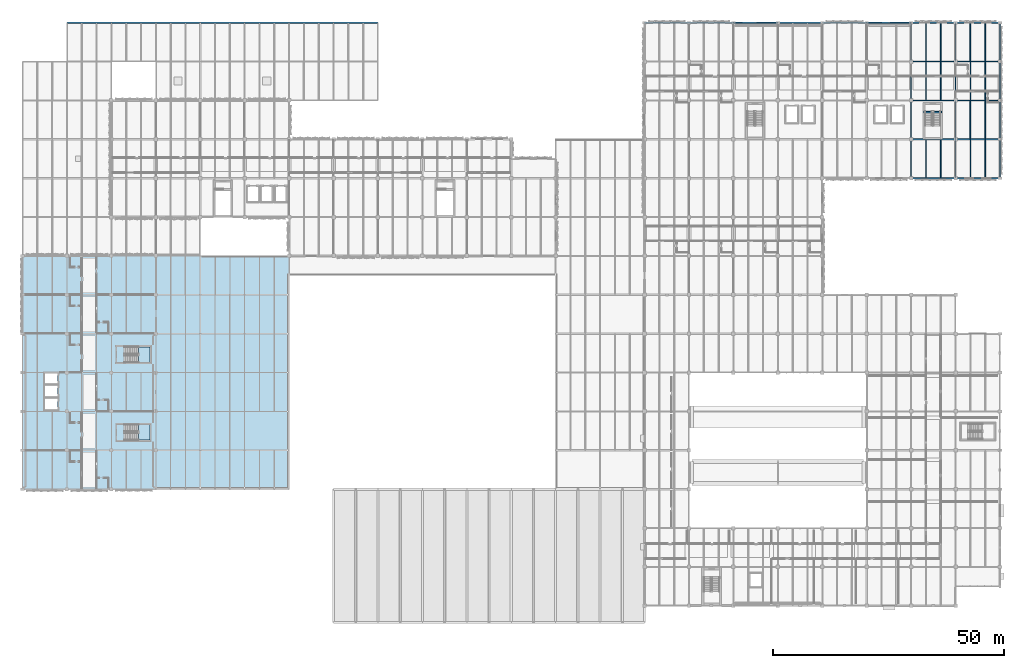
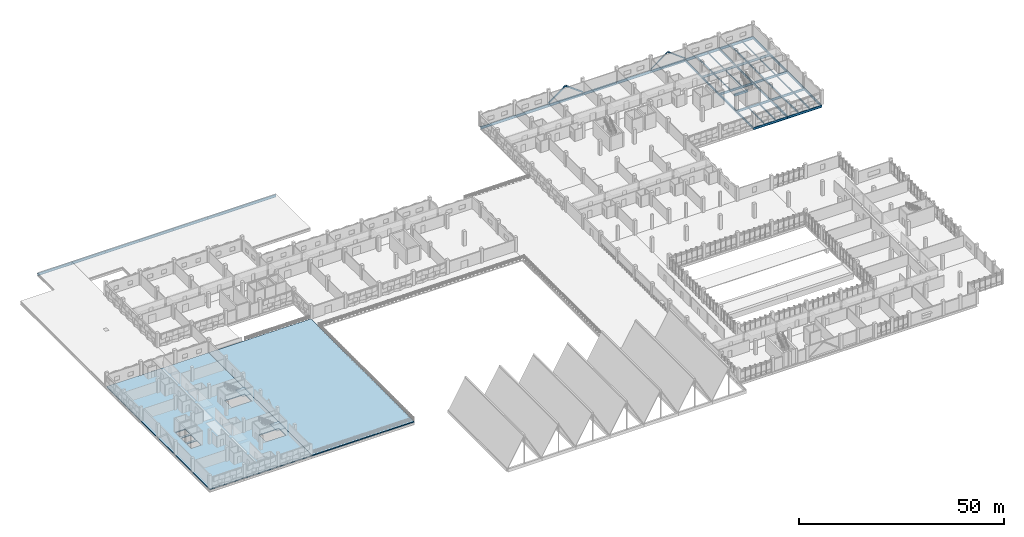
# One storey, part 38 of 86: 50 beams, 4 members, 4 slabs, 2 elements without a shape of their own.
"""IFC4 building model written with IfcOpenShell, lengths in metres."""

from ifc_helpers import new_model, si_unit, direction, frame, origin, origin_2d, place, context, subcontext, project, spatial, polyline, rectangle, hollow_rectangle, i_section, outline, extrude, material, layer, layer_set, material_profile, profile_set, type_object, element, aggregate, save


model = new_model("IFC4")

# Units and contexts
model_context = context("Model", 3, precision=1e-05, world=origin(), true_north=direction((0.0, 1.0)))
body_context = subcontext(model_context, "Body", "Model", "MODEL_VIEW")
ifc_project = project(units=[si_unit("LENGTHUNIT", "METRE"), si_unit("AREAUNIT", "SQUARE_METRE"), si_unit("VOLUMEUNIT", "CUBIC_METRE"), si_unit("PLANEANGLEUNIT", "RADIAN"), si_unit("MASSUNIT", "GRAM", prefix="KILO")], contexts=[model_context])

# Site, building, storey
site_placement = place(None, origin())
site = spatial("IfcSite", under=ifc_project, at=site_placement, CompositionType="ELEMENT")
building_placement = place(site_placement, origin())
building = spatial("IfcBuilding", under=site, at=building_placement, Name="Oolite Switchyard Hospital", CompositionType="ELEMENT")
storey_placement = place(building_placement, frame((0.0, 0.0, 13.5)))
storey = spatial("IfcBuildingStorey", under=building, at=storey_placement, Name="L03", CompositionType="ELEMENT", Elevation=13.5)

# Beams
ifc_material_1 = material(Name="Concrete C40/50", Category="concrete")
ifc_material_profile_1 = material_profile(ifc_material_1, rectangle(XDim=0.39990234375, YDim=0.60009765625, at=origin_2d()), Name="RCB400X600")
ifc_profile_set_1 = profile_set([ifc_material_profile_1], Name="Concrete C40/50")
beam_type_1 = type_object("IfcBeamType", Name="BM-RC400X600", PredefinedType="BEAM", material=ifc_profile_set_1)
beam_1_placement = place(storey_placement, frame((194.77490234375, 115.110107421875, -0.300048828125), z_axis=(1.0, 0.0, 0.0), x_axis=(0.0, 1.0, 0.0)))
element("IfcBeam", 1, at=beam_1_placement, inside=storey, type_object=beam_type_1, Name="L03 ST-04 Stair Throat Trimmer Beam", PredefinedType="BEAM", context=body_context, shape_type="SweptSolid", body=[
    extrude(rectangle(XDim=0.39990234375, YDim=0.60009765625, at=origin_2d()), origin(), (0.0, 0.0, 1.0), 3.81005859375),
])
ifc_material_2 = material(Name="Steel ASTM A992 Grade 50", Category="steel")
ifc_material_profile_2 = material_profile(ifc_material_2, i_section(OverallWidth=0.1650390625, OverallDepth=0.31005859375, WebThickness=0.006103515625, FlangeThickness=0.010009765625, at=origin_2d()), Name="W12X26")
ifc_profile_set_2 = profile_set([ifc_material_profile_2], Name="Steel ASTM A992 Grade 50")
beam_type_2 = type_object("IfcBeamType", Name="BM-W12X26", PredefinedType="JOIST", material=ifc_profile_set_2)
beam_2_placement = place(storey_placement, frame((195.199951171875, 100.927001953125, -0.429931640625), z_axis=(0.0, 1.0, 0.0), x_axis=(-1.0, 0.0, 0.0)))
element("IfcBeam", 2, at=beam_2_placement, inside=storey, type_object=beam_type_2, Name="L03 Secondary Steel Joist 2732", PredefinedType="JOIST", context=body_context, shape_type="SweptSolid", body=[
    extrude(i_section(OverallWidth=0.1650390625, OverallDepth=0.31005859375, WebThickness=0.006103515625, FlangeThickness=0.010009765625, at=origin_2d()), origin(), (0.0, 0.0, 1.0), 8.14599609375),
])
ifc_material_profile_3 = material_profile(ifc_material_2, i_section(OverallWidth=0.177978515625, OverallDepth=0.403076171875, WebThickness=0.008056640625, FlangeThickness=0.010986328125, at=origin_2d()), Name="W16X36")
ifc_profile_set_3 = profile_set([ifc_material_profile_3], Name="Steel ASTM A992 Grade 50")
beam_type_3 = type_object("IfcBeamType", Name="BM-W16X36", PredefinedType="JOIST", material=ifc_profile_set_3)
beam_3_placement = place(storey_placement, frame((208.0, 126.126953125, -0.47607421875), z_axis=(0.0, 1.0, 0.0), x_axis=(-1.0, 0.0, 0.0)))
element("IfcBeam", 3, at=beam_3_placement, inside=storey, type_object=beam_type_3, Name="L03 Secondary Steel Joist 2755", PredefinedType="JOIST", context=body_context, shape_type="SweptSolid", body=[
    extrude(i_section(OverallWidth=0.177978515625, OverallDepth=0.403076171875, WebThickness=0.008056640625, FlangeThickness=0.010986328125, at=origin_2d()), origin(), (0.0, 0.0, 1.0), 8.14013671875),
])
ifc_material_profile_4 = material_profile(ifc_material_2, i_section(OverallWidth=0.179931640625, OverallDepth=0.4130859375, WebThickness=0.010009765625, FlangeThickness=0.01611328125, at=origin_2d()), Name="W16X50")
ifc_profile_set_4 = profile_set([ifc_material_profile_4], Name="Steel ASTM A992 Grade 50")
beam_type_4 = type_object("IfcBeamType", Name="BM-W16X50", PredefinedType="JOIST", material=ifc_profile_set_4)
beam_4_placement = place(storey_placement, frame((198.39990234375, 126.126953125, -0.48193359375), z_axis=(0.0, 1.0, 0.0), x_axis=(-1.0, 0.0, 0.0)))
element("IfcBeam", 4, at=beam_4_placement, inside=storey, type_object=beam_type_4, Name="L03 Secondary Steel Joist 2737", PredefinedType="JOIST", context=body_context, shape_type="SweptSolid", body=[
    extrude(i_section(OverallWidth=0.179931640625, OverallDepth=0.4130859375, WebThickness=0.010009765625, FlangeThickness=0.01611328125, at=origin_2d()), origin(), (0.0, 0.0, 1.0), 8.14013671875),
])
beam_5_placement = place(storey_placement, frame((208.0, 117.72705078125, -0.48193359375), z_axis=(0.0, 1.0, 0.0), x_axis=(-1.0, 0.0, 0.0)))
element("IfcBeam", 5, at=beam_5_placement, inside=storey, type_object=beam_type_4, Name="L03 Secondary Steel Joist 2753", PredefinedType="JOIST", context=body_context, shape_type="SweptSolid", body=[
    extrude(i_section(OverallWidth=0.179931640625, OverallDepth=0.4130859375, WebThickness=0.010009765625, FlangeThickness=0.01611328125, at=origin_2d()), origin(), (0.0, 0.0, 1.0), 8.14599609375),
])
beam_6_placement = place(storey_placement, frame((204.800048828125, 126.126953125, -0.48193359375), z_axis=(0.0, 1.0, 0.0), x_axis=(-1.0, 0.0, 0.0)))
element("IfcBeam", 6, at=beam_6_placement, inside=storey, type_object=beam_type_4, Name="L03 Secondary Steel Joist 2754", PredefinedType="JOIST", context=body_context, shape_type="SweptSolid", body=[
    extrude(i_section(OverallWidth=0.179931640625, OverallDepth=0.4130859375, WebThickness=0.010009765625, FlangeThickness=0.01611328125, at=origin_2d()), origin(), (0.0, 0.0, 1.0), 8.14013671875),
])
ifc_material_profile_5 = material_profile(ifc_material_2, i_section(OverallWidth=0.153076171875, OverallDepth=0.455078125, WebThickness=0.008056640625, FlangeThickness=0.012939453125, at=origin_2d()), Name="W18X40")
ifc_profile_set_5 = profile_set([ifc_material_profile_5], Name="Steel ASTM A992 Grade 50")
beam_type_5 = type_object("IfcBeamType", Name="BM-W18X40", PredefinedType="JOIST", material=ifc_profile_set_5)
beam_7_placement = place(storey_placement, frame((198.39990234375, 117.72705078125, -0.501953125), z_axis=(0.0, 1.0, 0.0), x_axis=(-1.0, 0.0, 0.0)))
element("IfcBeam", 7, at=beam_7_placement, inside=storey, type_object=beam_type_5, Name="L03 Secondary Steel Joist 2735", PredefinedType="JOIST", context=body_context, shape_type="SweptSolid", body=[
    extrude(i_section(OverallWidth=0.153076171875, OverallDepth=0.455078125, WebThickness=0.008056640625, FlangeThickness=0.012939453125, at=origin_2d()), origin(), (0.0, 0.0, 1.0), 8.14599609375),
])
beam_8_placement = place(storey_placement, frame((195.199951171875, 126.126953125, -0.501953125), z_axis=(0.0, 1.0, 0.0), x_axis=(-1.0, 0.0, 0.0)))
element("IfcBeam", 8, at=beam_8_placement, inside=storey, type_object=beam_type_5, Name="L03 Secondary Steel Joist 2736", PredefinedType="JOIST", context=body_context, shape_type="SweptSolid", body=[
    extrude(i_section(OverallWidth=0.153076171875, OverallDepth=0.455078125, WebThickness=0.008056640625, FlangeThickness=0.012939453125, at=origin_2d()), origin(), (0.0, 0.0, 1.0), 8.14013671875),
])
for number, where, z_axis, x_axis, name in (
    (9, (208.0, 109.326904296875, -0.501953125), (0.0, 1.0, 0.0), (-1.0, 0.0, 0.0), "L03 Secondary Steel Joist 2751"),
    (10, (204.800048828125, 117.72705078125, -0.501953125), (0.0, 1.0, 0.0), (-1.0, 0.0, 0.0), "L03 Secondary Steel Joist 2752"),
):
    element("IfcBeam", number, at=place(storey_placement, frame(where, z_axis=z_axis, x_axis=x_axis)), inside=storey, type_object=beam_type_5, Name=name, PredefinedType="JOIST", context=body_context, shape_type="SweptSolid", body=[
        extrude(i_section(OverallWidth=0.153076171875, OverallDepth=0.455078125, WebThickness=0.008056640625, FlangeThickness=0.012939453125, at=origin_2d()), origin(), (0.0, 0.0, 1.0), 8.14599609375),
    ])
ifc_material_profile_6 = material_profile(ifc_material_2, i_section(OverallWidth=0.19091796875, OverallDepth=0.4599609375, WebThickness=0.010009765625, FlangeThickness=0.01611328125, at=origin_2d()), Name="W18X55")
ifc_profile_set_6 = profile_set([ifc_material_profile_6], Name="Steel ASTM A992 Grade 50")
beam_type_6 = type_object("IfcBeamType", Name="BM-W18X55", PredefinedType="JOIST", material=ifc_profile_set_6)
for number, where, z_axis, x_axis, name in (
    (11, (195.199951171875, 117.72705078125, -0.5048828125), (0.0, 1.0, 0.0), (-1.0, 0.0, 0.0), "L03 Secondary Steel Joist 2734"),
    (12, (208.0, 100.927001953125, -0.5048828125), (0.0, 1.0, 0.0), (-1.0, 0.0, 0.0), "L03 Secondary Steel Joist 2749"),
    (13, (204.800048828125, 109.326904296875, -0.5048828125), (0.0, 1.0, 0.0), (-1.0, 0.0, 0.0), "L03 Secondary Steel Joist 2750"),
):
    element("IfcBeam", number, at=place(storey_placement, frame(where, z_axis=z_axis, x_axis=x_axis)), inside=storey, type_object=beam_type_6, Name=name, PredefinedType="JOIST", context=body_context, shape_type="SweptSolid", body=[
        extrude(i_section(OverallWidth=0.19091796875, OverallDepth=0.4599609375, WebThickness=0.010009765625, FlangeThickness=0.01611328125, at=origin_2d()), origin(), (0.0, 0.0, 1.0), 8.14599609375),
    ])
ifc_material_profile_7 = material_profile(ifc_material_2, i_section(OverallWidth=0.166015625, OverallDepth=0.529052734375, WebThickness=0.010009765625, FlangeThickness=0.013916015625, at=origin_2d()), Name="W21X50")
ifc_profile_set_7 = profile_set([ifc_material_profile_7], Name="Steel ASTM A992 Grade 50")
beam_type_7 = type_object("IfcBeamType", Name="BM-W21X50", PredefinedType="JOIST", material=ifc_profile_set_7)
for number, where, z_axis, x_axis, name in (
    (14, (198.39990234375, 100.927001953125, -0.5400390625), (0.0, 1.0, 0.0), (-1.0, 0.0, 0.0), "L03 Secondary Steel Joist 2733"),
    (15, (204.800048828125, 100.927001953125, -0.5400390625), (0.0, 1.0, 0.0), (-1.0, 0.0, 0.0), "L03 Secondary Steel Joist 2748"),
):
    element("IfcBeam", number, at=place(storey_placement, frame(where, z_axis=z_axis, x_axis=x_axis)), inside=storey, type_object=beam_type_7, Name=name, PredefinedType="JOIST", context=body_context, shape_type="SweptSolid", body=[
        extrude(i_section(OverallWidth=0.166015625, OverallDepth=0.529052734375, WebThickness=0.010009765625, FlangeThickness=0.013916015625, at=origin_2d()), origin(), (0.0, 0.0, 1.0), 8.14599609375),
    ])
ifc_material_profile_8 = material_profile(ifc_material_2, i_section(OverallWidth=0.22900390625, OverallDepth=0.612060546875, WebThickness=0.011962890625, FlangeThickness=0.02001953125, at=origin_2d()), Name="W24X84")
ifc_profile_set_8 = profile_set([ifc_material_profile_8], Name="Steel ASTM A992 Grade 50")
beam_type_8 = type_object("IfcBeamType", Name="BM-W24X84", PredefinedType="BEAM", material=ifc_profile_set_8)
beam_9_placement = place(storey_placement, frame((192.0, 100.800048828125, -0.5810546875), z_axis=(0.0, 1.0, 0.0), x_axis=(-1.0, 0.0, 0.0)))
element("IfcBeam", 16, at=beam_9_placement, inside=storey, type_object=beam_type_8, Name="L03 Y-Girder 2368", PredefinedType="BEAM", context=body_context, shape_type="SweptSolid", body=[
    extrude(i_section(OverallWidth=0.22900390625, OverallDepth=0.612060546875, WebThickness=0.011962890625, FlangeThickness=0.02001953125, at=origin_2d()), origin(), (0.0, 0.0, 1.0), 8.39990234375),
])
beam_10_placement = place(storey_placement, frame((192.0, 109.199951171875, -0.5810546875), z_axis=(0.0, 1.0, 0.0), x_axis=(-1.0, 0.0, 0.0)))
element("IfcBeam", 17, at=beam_10_placement, inside=storey, type_object=beam_type_8, Name="L03 Y-Girder 2369", PredefinedType="BEAM", context=body_context, shape_type="SweptSolid", body=[
    extrude(i_section(OverallWidth=0.22900390625, OverallDepth=0.612060546875, WebThickness=0.011962890625, FlangeThickness=0.02001953125, at=origin_2d()), origin(), (0.0, 0.0, 1.0), 8.400146484375),
])
for number, where, z_axis, x_axis, name in (
    (18, (192.0, 117.60009765625, -0.5810546875), (0.0, 1.0, 0.0), (-1.0, 0.0, 0.0), "L03 Y-Girder 2370"),
    (19, (192.0, 126.0, -0.5810546875), (0.0, 1.0, 0.0), (-1.0, 0.0, 0.0), "L03 Y-Girder 2371"),
    (20, (201.60009765625, 100.800048828125, -0.5810546875), (0.0, 1.0, 0.0), (-1.0, 0.0, 0.0), "L03 Y-Girder 2380"),
):
    element("IfcBeam", number, at=place(storey_placement, frame(where, z_axis=z_axis, x_axis=x_axis)), inside=storey, type_object=beam_type_8, Name=name, PredefinedType="BEAM", context=body_context, shape_type="SweptSolid", body=[
        extrude(i_section(OverallWidth=0.22900390625, OverallDepth=0.612060546875, WebThickness=0.011962890625, FlangeThickness=0.02001953125, at=origin_2d()), origin(), (0.0, 0.0, 1.0), 8.39990234375),
    ])
beam_11_placement = place(storey_placement, frame((201.60009765625, 109.199951171875, -0.5810546875), z_axis=(0.0, 1.0, 0.0), x_axis=(-1.0, 0.0, 0.0)))
element("IfcBeam", 21, at=beam_11_placement, inside=storey, type_object=beam_type_8, Name="L03 Y-Girder 2381", PredefinedType="BEAM", context=body_context, shape_type="SweptSolid", body=[
    extrude(i_section(OverallWidth=0.22900390625, OverallDepth=0.612060546875, WebThickness=0.011962890625, FlangeThickness=0.02001953125, at=origin_2d()), origin(), (0.0, 0.0, 1.0), 8.400146484375),
])
for number, where, z_axis, x_axis, name in (
    (22, (201.60009765625, 117.60009765625, -0.5810546875), (0.0, 1.0, 0.0), (-1.0, 0.0, 0.0), "L03 Y-Girder 2382"),
    (23, (201.60009765625, 126.0, -0.5810546875), (0.0, 1.0, 0.0), (-1.0, 0.0, 0.0), "L03 Y-Girder 2383"),
):
    element("IfcBeam", number, at=place(storey_placement, frame(where, z_axis=z_axis, x_axis=x_axis)), inside=storey, type_object=beam_type_8, Name=name, PredefinedType="BEAM", context=body_context, shape_type="SweptSolid", body=[
        extrude(i_section(OverallWidth=0.22900390625, OverallDepth=0.612060546875, WebThickness=0.011962890625, FlangeThickness=0.02001953125, at=origin_2d()), origin(), (0.0, 0.0, 1.0), 8.39990234375),
    ])
ifc_material_profile_9 = material_profile(ifc_material_2, i_section(OverallWidth=0.25390625, OverallDepth=0.68408203125, WebThickness=0.011962890625, FlangeThickness=0.01904296875, at=origin_2d()), Name="W27X94")
ifc_profile_set_9 = profile_set([ifc_material_profile_9], Name="Steel ASTM A992 Grade 50")
beam_type_9 = type_object("IfcBeamType", Name="BM-W27X94", PredefinedType="BEAM", material=ifc_profile_set_9)
beam_12_placement = place(storey_placement, frame((192.0, 100.800048828125, -0.616943359375), z_axis=(1.0, 0.0, 0.0), x_axis=(0.0, 1.0, 0.0)))
element("IfcBeam", 24, at=beam_12_placement, inside=storey, type_object=beam_type_9, Name="L03 X-Girder 2094", PredefinedType="BEAM", context=body_context, shape_type="SweptSolid", body=[
    extrude(i_section(OverallWidth=0.25390625, OverallDepth=0.68408203125, WebThickness=0.011962890625, FlangeThickness=0.01904296875, at=origin_2d()), origin(), (0.0, 0.0, 1.0), 9.60009765625),
])
beam_13_placement = place(storey_placement, frame((201.60009765625, 100.800048828125, -0.616943359375), z_axis=(1.0, 0.0, 0.0), x_axis=(0.0, 1.0, 0.0)))
element("IfcBeam", 25, at=beam_13_placement, inside=storey, type_object=beam_type_9, Name="L03 X-Girder 2095", PredefinedType="BEAM", context=body_context, shape_type="SweptSolid", body=[
    extrude(i_section(OverallWidth=0.25390625, OverallDepth=0.68408203125, WebThickness=0.011962890625, FlangeThickness=0.01904296875, at=origin_2d()), origin(), (0.0, 0.0, 1.0), 9.599853515625),
])
beam_14_placement = place(storey_placement, frame((192.0, 109.199951171875, -0.616943359375), z_axis=(1.0, 0.0, 0.0), x_axis=(0.0, 1.0, 0.0)))
element("IfcBeam", 26, at=beam_14_placement, inside=storey, type_object=beam_type_9, Name="L03 X-Girder 2115", PredefinedType="BEAM", context=body_context, shape_type="SweptSolid", body=[
    extrude(i_section(OverallWidth=0.25390625, OverallDepth=0.68408203125, WebThickness=0.011962890625, FlangeThickness=0.01904296875, at=origin_2d()), origin(), (0.0, 0.0, 1.0), 9.60009765625),
])
beam_15_placement = place(storey_placement, frame((201.60009765625, 109.199951171875, -0.616943359375), z_axis=(1.0, 0.0, 0.0), x_axis=(0.0, 1.0, 0.0)))
element("IfcBeam", 27, at=beam_15_placement, inside=storey, type_object=beam_type_9, Name="L03 X-Girder 2116", PredefinedType="BEAM", context=body_context, shape_type="SweptSolid", body=[
    extrude(i_section(OverallWidth=0.25390625, OverallDepth=0.68408203125, WebThickness=0.011962890625, FlangeThickness=0.01904296875, at=origin_2d()), origin(), (0.0, 0.0, 1.0), 9.599853515625),
])
beam_16_placement = place(storey_placement, frame((192.0, 117.60009765625, -0.616943359375), z_axis=(1.0, 0.0, 0.0), x_axis=(0.0, 1.0, 0.0)))
element("IfcBeam", 28, at=beam_16_placement, inside=storey, type_object=beam_type_9, Name="L03 X-Girder 2131", PredefinedType="BEAM", context=body_context, shape_type="SweptSolid", body=[
    extrude(i_section(OverallWidth=0.25390625, OverallDepth=0.68408203125, WebThickness=0.011962890625, FlangeThickness=0.01904296875, at=origin_2d()), origin(), (0.0, 0.0, 1.0), 9.60009765625),
])
beam_17_placement = place(storey_placement, frame((201.60009765625, 117.60009765625, -0.616943359375), z_axis=(1.0, 0.0, 0.0), x_axis=(0.0, 1.0, 0.0)))
element("IfcBeam", 29, at=beam_17_placement, inside=storey, type_object=beam_type_9, Name="L03 X-Girder 2132", PredefinedType="BEAM", context=body_context, shape_type="SweptSolid", body=[
    extrude(i_section(OverallWidth=0.25390625, OverallDepth=0.68408203125, WebThickness=0.011962890625, FlangeThickness=0.01904296875, at=origin_2d()), origin(), (0.0, 0.0, 1.0), 9.599853515625),
])
beam_18_placement = place(storey_placement, frame((192.0, 126.0, -0.616943359375), z_axis=(1.0, 0.0, 0.0), x_axis=(0.0, 1.0, 0.0)))
element("IfcBeam", 30, at=beam_18_placement, inside=storey, type_object=beam_type_9, Name="L03 X-Girder 2147", PredefinedType="BEAM", context=body_context, shape_type="SweptSolid", body=[
    extrude(i_section(OverallWidth=0.25390625, OverallDepth=0.68408203125, WebThickness=0.011962890625, FlangeThickness=0.01904296875, at=origin_2d()), origin(), (0.0, 0.0, 1.0), 9.60009765625),
])
beam_19_placement = place(storey_placement, frame((201.60009765625, 126.0, -0.616943359375), z_axis=(1.0, 0.0, 0.0), x_axis=(0.0, 1.0, 0.0)))
element("IfcBeam", 31, at=beam_19_placement, inside=storey, type_object=beam_type_9, Name="L03 X-Girder 2148", PredefinedType="BEAM", context=body_context, shape_type="SweptSolid", body=[
    extrude(i_section(OverallWidth=0.25390625, OverallDepth=0.68408203125, WebThickness=0.011962890625, FlangeThickness=0.01904296875, at=origin_2d()), origin(), (0.0, 0.0, 1.0), 9.599853515625),
])
beam_20_placement = place(storey_placement, frame((211.199951171875, 100.800048828125, -0.616943359375), z_axis=(0.0, 1.0, 0.0), x_axis=(-1.0, 0.0, 0.0)))
element("IfcBeam", 32, at=beam_20_placement, inside=storey, type_object=beam_type_9, Name="L03 Y-Girder 2390", PredefinedType="BEAM", context=body_context, shape_type="SweptSolid", body=[
    extrude(i_section(OverallWidth=0.25390625, OverallDepth=0.68408203125, WebThickness=0.011962890625, FlangeThickness=0.01904296875, at=origin_2d()), origin(), (0.0, 0.0, 1.0), 8.39990234375),
])
beam_21_placement = place(storey_placement, frame((211.199951171875, 109.199951171875, -0.616943359375), z_axis=(0.0, 1.0, 0.0), x_axis=(-1.0, 0.0, 0.0)))
element("IfcBeam", 33, at=beam_21_placement, inside=storey, type_object=beam_type_9, Name="L03 Y-Girder 2391", PredefinedType="BEAM", context=body_context, shape_type="SweptSolid", body=[
    extrude(i_section(OverallWidth=0.25390625, OverallDepth=0.68408203125, WebThickness=0.011962890625, FlangeThickness=0.01904296875, at=origin_2d()), origin(), (0.0, 0.0, 1.0), 8.400146484375),
])
for number, where, z_axis, x_axis, name in (
    (34, (211.199951171875, 117.60009765625, -0.616943359375), (0.0, 1.0, 0.0), (-1.0, 0.0, 0.0), "L03 Y-Girder 2392"),
    (35, (211.199951171875, 126.0, -0.616943359375), (0.0, 1.0, 0.0), (-1.0, 0.0, 0.0), "L03 Y-Girder 2393"),
):
    element("IfcBeam", number, at=place(storey_placement, frame(where, z_axis=z_axis, x_axis=x_axis)), inside=storey, type_object=beam_type_9, Name=name, PredefinedType="BEAM", context=body_context, shape_type="SweptSolid", body=[
        extrude(i_section(OverallWidth=0.25390625, OverallDepth=0.68408203125, WebThickness=0.011962890625, FlangeThickness=0.01904296875, at=origin_2d()), origin(), (0.0, 0.0, 1.0), 8.39990234375),
    ])
ifc_material_profile_10 = material_profile(ifc_material_2, i_section(OverallWidth=0.26611328125, OverallDepth=0.758056640625, WebThickness=0.013916015625, FlangeThickness=0.01904296875, at=origin_2d()), Name="W30X108")
ifc_profile_set_10 = profile_set([ifc_material_profile_10], Name="Steel ASTM A992 Grade 50")
beam_type_10 = type_object("IfcBeamType", Name="BM-W30X108", PredefinedType="BEAM", material=ifc_profile_set_10)
beam_22_placement = place(storey_placement, frame((9.60009765625, 134.39990234375, -0.59912109375), z_axis=(1.0, 0.0, 0.0), x_axis=(0.0, 1.0, 0.0)))
element("IfcBeam", 36, at=beam_22_placement, inside=storey, type_object=beam_type_10, Name="L03 X-Girder 2149", PredefinedType="BEAM", context=body_context, shape_type="SweptSolid", body=[
    extrude(i_section(OverallWidth=0.26611328125, OverallDepth=0.758056640625, WebThickness=0.013916015625, FlangeThickness=0.01904296875, at=origin_2d()), origin(), (0.0, 0.0, 1.0), 9.599853515625),
])
beam_23_placement = place(storey_placement, frame((19.199951171875, 134.39990234375, -0.59912109375), z_axis=(1.0, 0.0, 0.0), x_axis=(0.0, 1.0, 0.0)))
element("IfcBeam", 37, at=beam_23_placement, inside=storey, type_object=beam_type_10, Name="L03 X-Girder 2150", PredefinedType="BEAM", context=body_context, shape_type="SweptSolid", body=[
    extrude(i_section(OverallWidth=0.26611328125, OverallDepth=0.758056640625, WebThickness=0.013916015625, FlangeThickness=0.01904296875, at=origin_2d()), origin(), (0.0, 0.0, 1.0), 9.60009765625),
])
beam_24_placement = place(storey_placement, frame((28.800048828125, 134.39990234375, -0.59912109375), z_axis=(1.0, 0.0, 0.0), x_axis=(0.0, 1.0, 0.0)))
element("IfcBeam", 38, at=beam_24_placement, inside=storey, type_object=beam_type_10, Name="L03 X-Girder 2151", PredefinedType="BEAM", context=body_context, shape_type="SweptSolid", body=[
    extrude(i_section(OverallWidth=0.26611328125, OverallDepth=0.758056640625, WebThickness=0.013916015625, FlangeThickness=0.01904296875, at=origin_2d()), origin(), (0.0, 0.0, 1.0), 9.599853515625),
])
for number, where, z_axis, x_axis, name in (
    (39, (38.39990234375, 134.39990234375, -0.59912109375), (1.0, 0.0, 0.0), (0.0, 1.0, 0.0), "L03 X-Girder 2152"),
    (40, (48.0, 134.39990234375, -0.59912109375), (1.0, 0.0, 0.0), (0.0, 1.0, 0.0), "L03 X-Girder 2153"),
):
    element("IfcBeam", number, at=place(storey_placement, frame(where, z_axis=z_axis, x_axis=x_axis)), inside=storey, type_object=beam_type_10, Name=name, PredefinedType="BEAM", context=body_context, shape_type="SweptSolid", body=[
        extrude(i_section(OverallWidth=0.26611328125, OverallDepth=0.758056640625, WebThickness=0.013916015625, FlangeThickness=0.01904296875, at=origin_2d()), origin(), (0.0, 0.0, 1.0), 9.60009765625),
    ])
beam_25_placement = place(storey_placement, frame((57.60009765625, 134.39990234375, -0.59912109375), z_axis=(1.0, 0.0, 0.0), x_axis=(0.0, 1.0, 0.0)))
element("IfcBeam", 41, at=beam_25_placement, inside=storey, type_object=beam_type_10, Name="L03 X-Girder 2154", PredefinedType="BEAM", context=body_context, shape_type="SweptSolid", body=[
    extrude(i_section(OverallWidth=0.26611328125, OverallDepth=0.758056640625, WebThickness=0.013916015625, FlangeThickness=0.01904296875, at=origin_2d()), origin(), (0.0, 0.0, 1.0), 9.599853515625),
])
for number, where, z_axis, x_axis, name in (
    (42, (67.199951171875, 134.39990234375, -0.59912109375), (1.0, 0.0, 0.0), (0.0, 1.0, 0.0), "L03 X-Girder 2155"),
    (43, (134.39990234375, 134.39990234375, -0.654052734375), (1.0, 0.0, 0.0), (0.0, 1.0, 0.0), "L03 X-Girder 2156"),
    (44, (144.0, 134.39990234375, -0.654052734375), (1.0, 0.0, 0.0), (0.0, 1.0, 0.0), "L03 X-Girder 2157"),
):
    element("IfcBeam", number, at=place(storey_placement, frame(where, z_axis=z_axis, x_axis=x_axis)), inside=storey, type_object=beam_type_10, Name=name, PredefinedType="BEAM", context=body_context, shape_type="SweptSolid", body=[
        extrude(i_section(OverallWidth=0.26611328125, OverallDepth=0.758056640625, WebThickness=0.013916015625, FlangeThickness=0.01904296875, at=origin_2d()), origin(), (0.0, 0.0, 1.0), 9.60009765625),
    ])
beam_26_placement = place(storey_placement, frame((153.60009765625, 134.39990234375, -0.654052734375), z_axis=(1.0, 0.0, 0.0), x_axis=(0.0, 1.0, 0.0)))
element("IfcBeam", 45, at=beam_26_placement, inside=storey, type_object=beam_type_10, Name="L03 X-Girder 2158", PredefinedType="BEAM", context=body_context, shape_type="SweptSolid", body=[
    extrude(i_section(OverallWidth=0.26611328125, OverallDepth=0.758056640625, WebThickness=0.013916015625, FlangeThickness=0.01904296875, at=origin_2d()), origin(), (0.0, 0.0, 1.0), 9.599853515625),
])
beam_27_placement = place(storey_placement, frame((163.199951171875, 134.39990234375, -0.654052734375), z_axis=(1.0, 0.0, 0.0), x_axis=(0.0, 1.0, 0.0)))
element("IfcBeam", 46, at=beam_27_placement, inside=storey, type_object=beam_type_10, Name="L03 X-Girder 2159", PredefinedType="BEAM", context=body_context, shape_type="SweptSolid", body=[
    extrude(i_section(OverallWidth=0.26611328125, OverallDepth=0.758056640625, WebThickness=0.013916015625, FlangeThickness=0.01904296875, at=origin_2d()), origin(), (0.0, 0.0, 1.0), 9.60009765625),
])
beam_28_placement = place(storey_placement, frame((172.800048828125, 134.39990234375, -0.654052734375), z_axis=(1.0, 0.0, 0.0), x_axis=(0.0, 1.0, 0.0)))
element("IfcBeam", 47, at=beam_28_placement, inside=storey, type_object=beam_type_10, Name="L03 X-Girder 2160", PredefinedType="BEAM", context=body_context, shape_type="SweptSolid", body=[
    extrude(i_section(OverallWidth=0.26611328125, OverallDepth=0.758056640625, WebThickness=0.013916015625, FlangeThickness=0.01904296875, at=origin_2d()), origin(), (0.0, 0.0, 1.0), 9.599853515625),
])
for number, where, z_axis, x_axis, name in (
    (48, (182.39990234375, 134.39990234375, -0.654052734375), (1.0, 0.0, 0.0), (0.0, 1.0, 0.0), "L03 X-Girder 2161"),
    (49, (192.0, 134.39990234375, -0.654052734375), (1.0, 0.0, 0.0), (0.0, 1.0, 0.0), "L03 X-Girder 2162"),
):
    element("IfcBeam", number, at=place(storey_placement, frame(where, z_axis=z_axis, x_axis=x_axis)), inside=storey, type_object=beam_type_10, Name=name, PredefinedType="BEAM", context=body_context, shape_type="SweptSolid", body=[
        extrude(i_section(OverallWidth=0.26611328125, OverallDepth=0.758056640625, WebThickness=0.013916015625, FlangeThickness=0.01904296875, at=origin_2d()), origin(), (0.0, 0.0, 1.0), 9.60009765625),
    ])
beam_29_placement = place(storey_placement, frame((201.60009765625, 134.39990234375, -0.654052734375), z_axis=(1.0, 0.0, 0.0), x_axis=(0.0, 1.0, 0.0)))
element("IfcBeam", 50, at=beam_29_placement, inside=storey, type_object=beam_type_10, Name="L03 X-Girder 2163", PredefinedType="BEAM", context=body_context, shape_type="SweptSolid", body=[
    extrude(i_section(OverallWidth=0.26611328125, OverallDepth=0.758056640625, WebThickness=0.013916015625, FlangeThickness=0.01904296875, at=origin_2d()), origin(), (0.0, 0.0, 1.0), 9.599853515625),
])

# Members
ifc_material_3 = material(Name="Steel ASTM A500 Grade C", Category="steel")
ifc_material_profile_11 = material_profile(ifc_material_3, hollow_rectangle(XDim=0.202880859375, YDim=0.202880859375, WallThickness=0.012939453125, at=origin_2d()), Name="HSS203X203X13")
ifc_profile_set_11 = profile_set([ifc_material_profile_11], Name="Steel ASTM A500 Grade C")
member_type_1 = type_object("IfcMemberType", Name="MEM-BR-HSS203", PredefinedType="BRACE", material=ifc_profile_set_11)
for number, where, z_axis, x_axis, name in (
    (51, (182.39990234375, 134.39990234375, 0.02001953125), (0.805604421806, 0.0, 0.592453808804), (0.0, 1.0, 0.0), "L03 Chevron Brace 51"),
    (52, (192.0, 134.39990234375, 0.02001953125), (-0.805604421806, 0.0, 0.592453808804), (0.0, -1.0, 0.0), "L03 Chevron Brace 52"),
):
    element("IfcMember", number, at=place(storey_placement, frame(where, z_axis=z_axis, x_axis=x_axis)), inside=storey, type_object=member_type_1, Name=name, PredefinedType="BRACE", context=body_context, shape_type="SweptSolid", body=[
        extrude(hollow_rectangle(XDim=0.202880859375, YDim=0.202880859375, WallThickness=0.012939453125, at=origin_2d()), origin(), (0.0, 0.0, 1.0), 5.958251953125),
    ])
ifc_material_profile_12 = material_profile(ifc_material_3, hollow_rectangle(XDim=0.202880859375, YDim=0.406005859375, WallThickness=0.012939453125, at=origin_2d()), Name="HSS406X203X13")
ifc_profile_set_12 = profile_set([ifc_material_profile_12], Name="Steel ASTM A500 Grade C")
member_type_2 = type_object("IfcMemberType", Name="MEM-BR-RHS406", PredefinedType="BRACE", material=ifc_profile_set_12)
member_1_placement = place(storey_placement, frame((153.60009765625, 134.39990234375, 0.02001953125), z_axis=(0.805590038897, 0.0, 0.59247336584), x_axis=(0.0, 1.0, 0.0)))
element("IfcMember", 53, at=member_1_placement, inside=storey, type_object=member_type_2, Name="L03 Chevron Brace 35", PredefinedType="BRACE", context=body_context, shape_type="SweptSolid", body=[
    extrude(hollow_rectangle(XDim=0.202880859375, YDim=0.406005859375, WallThickness=0.012939453125, at=origin_2d()), origin(), (0.0, 0.0, 1.0), 5.9580078125),
])
member_2_placement = place(storey_placement, frame((163.199951171875, 134.39990234375, 0.02001953125), z_axis=(-0.805604421806, 0.0, 0.592453808804), x_axis=(0.0, -1.0, 0.0)))
element("IfcMember", 54, at=member_2_placement, inside=storey, type_object=member_type_2, Name="L03 Chevron Brace 36", PredefinedType="BRACE", context=body_context, shape_type="SweptSolid", body=[
    extrude(hollow_rectangle(XDim=0.202880859375, YDim=0.406005859375, WallThickness=0.012939453125, at=origin_2d()), origin(), (0.0, 0.0, 1.0), 5.958251953125),
])

# Slab
ifc_layer_1 = layer(ifc_material_1, 0.27490234375)
ifc_layer_set_1 = layer_set([ifc_layer_1], Name="SLB-FLR-275")
slab_type_1 = type_object("IfcSlabType", Name="SLB-FLR-275", PredefinedType="FLOOR", material=ifc_layer_set_1)
slab_1_placement = place(storey_placement, frame((0.0, 0.0, -0.27490234375)))
element("IfcSlab", 55, at=slab_1_placement, inside=storey, type_object=slab_type_1, Name="L03 V5W Slab V5W", PredefinedType="FLOOR", context=body_context, shape_type="SweptSolid", body=[
    extrude(outline(polyline([(0.0, 33.60009765625), (28.800048828125, 33.60009765625), (28.800048828125, 84.0), (0.0, 84.0), (0.0, 33.60009765625)]), holes=[polyline([(21.9599609375, 44.199951171875), (27.550048828125, 44.199951171875), (27.550048828125, 47.56005859375), (21.9599609375, 47.56005859375), (21.9599609375, 44.199951171875)]), polyline([(21.9599609375, 61.0), (27.550048828125, 61.0), (27.550048828125, 64.360107421875), (21.9599609375, 64.360107421875), (21.9599609375, 61.0)]), polyline([(4.800048828125, 50.89990234375), (7.60009765625, 50.89990234375), (7.60009765625, 53.10009765625), (4.800048828125, 53.10009765625), (4.800048828125, 50.89990234375)]), polyline([(4.800048828125, 53.699951171875), (7.60009765625, 53.699951171875), (7.60009765625, 55.89990234375), (4.800048828125, 55.89990234375), (4.800048828125, 53.699951171875)]), polyline([(4.800048828125, 56.5), (7.60009765625, 56.5), (7.60009765625, 58.699951171875), (4.800048828125, 58.699951171875), (4.800048828125, 56.5)])]), origin(), (0.0, 0.0, 1.0), 0.27490234375),
])

# Stair, slab
stair_type = type_object("IfcStairType", Name="STR-DL-156-R24", PredefinedType="HALF_TURN_STAIR", material=ifc_material_1)
stair_1_placement = place(storey_placement, origin())
stair_1 = element("IfcStair", 56, at=stair_1_placement, inside=storey, type_object=stair_type, Name="L03 Exit Stair ST-01", PredefinedType="HALF_TURN_STAIR")
ifc_layer_2 = layer(ifc_material_1, 0.199951171875)
ifc_layer_set_2 = layer_set([ifc_layer_2], Name="SLB-LND-200")
slab_type_2 = type_object("IfcSlabType", Name="SLB-LND-200", PredefinedType="LANDING", material=ifc_layer_set_2)
slab_2_placement = place(storey_placement, frame((0.0, 0.0, 1.949951171875)))
slab_2 = element("IfcSlab", 57, at=slab_2_placement, type_object=slab_type_2, Name="ST-01 landing 1", PredefinedType="LANDING", context=body_context, shape_type="SweptSolid", body=[
    extrude(outline(polyline([(25.0400390625, 44.199951171875), (27.550048828125, 44.199951171875), (27.550048828125, 47.56005859375), (25.0400390625, 47.56005859375), (25.0400390625, 44.199951171875)])), origin(), (0.0, 0.0, 1.0), 0.199951171875),
])
aggregate(stair_1, [slab_2])

stair_2_placement = place(storey_placement, origin())
stair_2 = element("IfcStair", 58, at=stair_2_placement, inside=storey, type_object=stair_type, Name="L03 Exit Stair ST-02", PredefinedType="HALF_TURN_STAIR")
slab_3_placement = place(storey_placement, frame((0.0, 0.0, 1.949951171875)))
slab_3 = element("IfcSlab", 59, at=slab_3_placement, type_object=slab_type_2, Name="ST-02 landing 1", PredefinedType="LANDING", context=body_context, shape_type="SweptSolid", body=[
    extrude(outline(polyline([(25.0400390625, 61.0), (27.550048828125, 61.0), (27.550048828125, 64.360107421875), (25.0400390625, 64.360107421875), (25.0400390625, 61.0)])), origin(), (0.0, 0.0, 1.0), 0.199951171875),
])
aggregate(stair_2, [slab_3])

# Slab
ifc_layer_3 = layer(ifc_material_1, 0.2900390625)
ifc_layer_set_3 = layer_set([ifc_layer_3], Name="SLB-TER-290")
slab_type_3 = type_object("IfcSlabType", Name="SLB-TER-290", PredefinedType="FLOOR", material=ifc_layer_set_3)
slab_4_placement = place(storey_placement, frame((0.0, 0.0, -0.2900390625)))
element("IfcSlab", 60, at=slab_4_placement, inside=storey, type_object=slab_type_3, Name="L03 V4 Slab V4TW", PredefinedType="FLOOR", context=body_context, shape_type="SweptSolid", body=[
    extrude(outline(polyline([(28.800048828125, 33.60009765625), (57.60009765625, 33.60009765625), (57.60009765625, 84.0), (28.800048828125, 84.0), (28.800048828125, 33.60009765625)])), origin(), (0.0, 0.0, 1.0), 0.2900390625),
])

save(model, "model.ifc")
